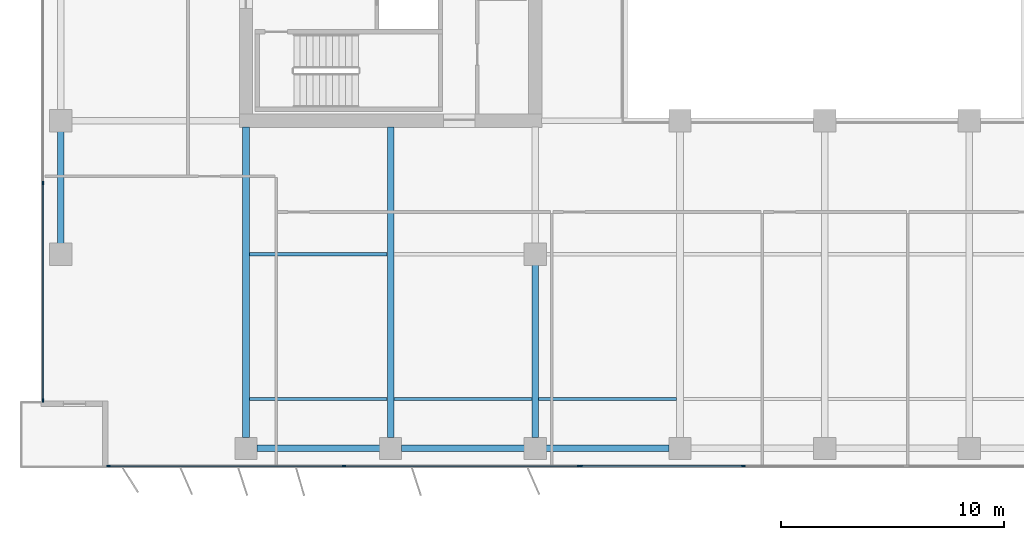
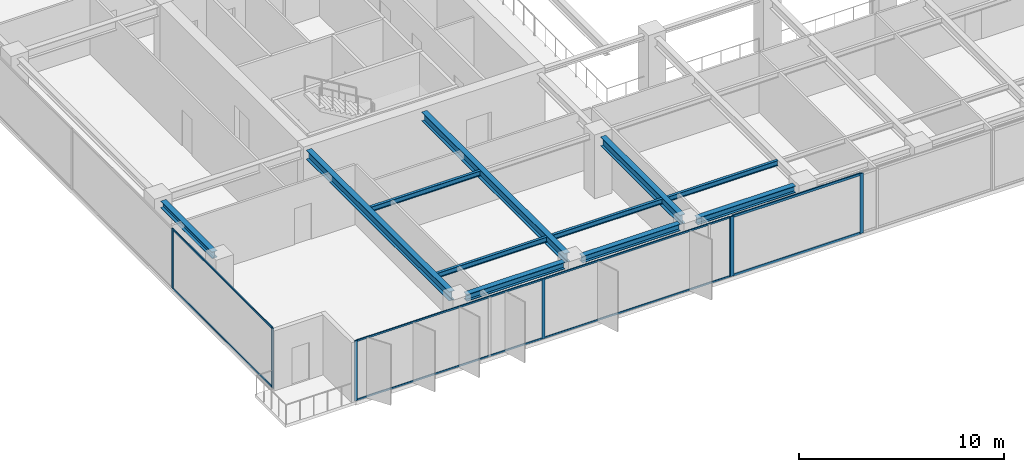
# One storey, part 2 of 22: 15 members, 11 beams, 3 elements without a shape of their own.
"""IFC4 building model written with IfcOpenShell, lengths in metres."""

from ifc_helpers import new_model, si_unit, direction, frame, origin, origin_2d, place, context, subcontext, project, spatial, rectangle, i_section, extrude, material, layer, layer_set, material_profile, profile_set, type_object, element, aggregate, save


model = new_model("IFC4")

# Units and contexts
model_context = context("Model", 3, precision=1e-05, world=origin(), true_north=direction((0.0, 1.0)))
body_context = subcontext(model_context, "Body", "Model", "MODEL_VIEW")
ifc_project = project(units=[si_unit("LENGTHUNIT", "METRE"), si_unit("AREAUNIT", "SQUARE_METRE"), si_unit("VOLUMEUNIT", "CUBIC_METRE"), si_unit("PLANEANGLEUNIT", "RADIAN"), si_unit("MASSUNIT", "GRAM", prefix="KILO")], contexts=[model_context])

# Site, building, storey
site_placement = place(None, origin())
site = spatial("IfcSite", under=ifc_project, at=site_placement, CompositionType="ELEMENT")
building_placement = place(site_placement, origin())
building = spatial("IfcBuilding", under=site, at=building_placement, Name="Putna Gate Headquarters", CompositionType="ELEMENT")
storey_placement = place(building_placement, frame((0.0, 0.0, 163.199951171875)))
storey = spatial("IfcBuildingStorey", under=building, at=storey_placement, Name="L40", CompositionType="ELEMENT", Elevation=163.199951171875)

# Beams
ifc_material_1 = material(Name="Steel S355J2", Category="steel")
ifc_material_profile_1 = material_profile(ifc_material_1, i_section(OverallWidth=0.300048828125, OverallDepth=0.550048828125, WebThickness=0.014892578125, FlangeThickness=0.029052734375, at=origin_2d()), Name="Steel S355J2")
ifc_profile_set_1 = profile_set([ifc_material_profile_1], Name="Steel S355J2")
beam_type_1 = type_object("IfcBeamType", Name="BM-GIRD-Z3-HEB550", PredefinedType="USERDEFINED", material=ifc_profile_set_1)
for number, where, z_axis, x_axis, name in (
    (1, (13.0, 4.76806640625, 3.297119140625), (0.0, 1.0, 0.0), (-1.0, 0.0, 0.0), "L40 South Primary Girder X13"),
    (2, (19.5, 4.76806640625, 3.297119140625), (0.0, 1.0, 0.0), (-1.0, 0.0, 0.0), "L40 South Primary Girder X19"),
):
    element("IfcBeam", number, at=place(storey_placement, frame(where, z_axis=z_axis, x_axis=x_axis)), inside=storey, type_object=beam_type_1, Name=name, ObjectType="GIRDER", PredefinedType="USERDEFINED", context=body_context, shape_type="SweptSolid", body=[
        extrude(i_section(OverallWidth=0.300048828125, OverallDepth=0.550048828125, WebThickness=0.014892578125, FlangeThickness=0.029052734375, at=origin_2d()), origin(), (0.0, 0.0, 1.0), 13.947021484375),
    ])
beam_1_placement = place(storey_placement, frame((26.0, 4.76806640625, 3.297119140625), z_axis=(0.0, 1.0, 0.0), x_axis=(-1.0, 0.0, 0.0)))
element("IfcBeam", 3, at=beam_1_placement, inside=storey, type_object=beam_type_1, Name="L40 South Primary Girder X26-1", ObjectType="GIRDER", PredefinedType="USERDEFINED", context=body_context, shape_type="SweptSolid", body=[
    extrude(i_section(OverallWidth=0.300048828125, OverallDepth=0.550048828125, WebThickness=0.014892578125, FlangeThickness=0.029052734375, at=origin_2d()), origin(), (0.0, 0.0, 1.0), 7.743896484375),
])
ifc_material_profile_2 = material_profile(ifc_material_1, i_section(OverallWidth=0.14990234375, OverallDepth=0.300048828125, WebThickness=0.007080078125, FlangeThickness=0.0107421875, at=origin_2d()), Name="Steel S355J2")
ifc_profile_set_2 = profile_set([ifc_material_profile_2], Name="Steel S355J2")
beam_type_2 = type_object("IfcBeamType", Name="BM-SEC-Z3-IPE300", PredefinedType="JOIST", material=ifc_profile_set_2)
for number, where, z_axis, x_axis, name in (
    (4, (13.154052734375, 6.5, 3.422119140625), (1.0, 0.0, 0.0), (0.0, 1.0, 0.0), "L40 South Secondary Beam 1"),
    (5, (13.154052734375, 13.0, 3.422119140625), (1.0, 0.0, 0.0), (0.0, 1.0, 0.0), "L40 South Secondary Beam 1"),
    (6, (19.654052734375, 6.5, 3.422119140625), (1.0, 0.0, 0.0), (0.0, 1.0, 0.0), "L40 South Secondary Beam 2"),
    (7, (26.154052734375, 6.5, 3.422119140625), (1.0, 0.0, 0.0), (0.0, 1.0, 0.0), "L40 South Secondary Beam 3"),
):
    element("IfcBeam", number, at=place(storey_placement, frame(where, z_axis=z_axis, x_axis=x_axis)), inside=storey, type_object=beam_type_2, Name=name, PredefinedType="JOIST", context=body_context, shape_type="SweptSolid", body=[
        extrude(i_section(OverallWidth=0.14990234375, OverallDepth=0.300048828125, WebThickness=0.007080078125, FlangeThickness=0.0107421875, at=origin_2d()), origin(), (0.0, 0.0, 1.0), 6.19189453125),
    ])
ifc_material_profile_3 = material_profile(ifc_material_1, i_section(OverallWidth=0.300048828125, OverallDepth=0.39990234375, WebThickness=0.013427734375, FlangeThickness=0.02392578125, at=origin_2d()), Name="Steel S355J2")
ifc_profile_set_3 = profile_set([ifc_material_profile_3], Name="Steel S355J2")
beam_type_3 = type_object("IfcBeamType", Name="BM-SPAN-Z3-HEB400", PredefinedType="SPANDREL", material=ifc_profile_set_3)
for number, where, z_axis, x_axis, name in (
    (8, (13.488037109375, 4.280029296875, 3.3720703125), (1.0, 0.0, 0.0), (0.0, 1.0, 0.0), "L40 S Perimeter Spandrel 1"),
    (9, (19.988037109375, 4.280029296875, 3.3720703125), (1.0, 0.0, 0.0), (0.0, 1.0, 0.0), "L40 S Perimeter Spandrel 2"),
    (10, (26.488037109375, 4.280029296875, 3.3720703125), (1.0, 0.0, 0.0), (0.0, 1.0, 0.0), "L40 S Perimeter Spandrel 3"),
):
    element("IfcBeam", number, at=place(storey_placement, frame(where, z_axis=z_axis, x_axis=x_axis)), inside=storey, type_object=beam_type_3, Name=name, PredefinedType="SPANDREL", context=body_context, shape_type="SweptSolid", body=[
        extrude(i_section(OverallWidth=0.300048828125, OverallDepth=0.39990234375, WebThickness=0.013427734375, FlangeThickness=0.02392578125, at=origin_2d()), origin(), (0.0, 0.0, 1.0), 5.52392578125),
    ])
beam_2_placement = place(storey_placement, frame((4.679931640625, 13.488037109375, 3.3720703125), z_axis=(0.0, 1.0, 0.0), x_axis=(-1.0, 0.0, 0.0)))
element("IfcBeam", 11, at=beam_2_placement, inside=storey, type_object=beam_type_3, Name="L40 W End Spandrel 1", PredefinedType="SPANDREL", context=body_context, shape_type="SweptSolid", body=[
    extrude(i_section(OverallWidth=0.300048828125, OverallDepth=0.39990234375, WebThickness=0.013427734375, FlangeThickness=0.02392578125, at=origin_2d()), origin(), (0.0, 0.0, 1.0), 5.02392578125),
])

# Curtain wall, members
ifc_material_2 = material(Name="Anodised bronze aluminium curtain wall", Category="aluminium")
ifc_layer_1 = layer(ifc_material_2, 0.159912109375)
ifc_layer_set_1 = layer_set([ifc_layer_1], Name="Anodised bronze aluminium curtain wall")
curtain_wall_type_1 = type_object("IfcCurtainWallType", Name="CW-SYS-Z3", PredefinedType="USERDEFINED", material=ifc_layer_set_1)
curtain_wall_1_placement = place(storey_placement, origin())
curtain_wall_1 = element("IfcCurtainWall", 12, at=curtain_wall_1_placement, inside=storey, type_object=curtain_wall_type_1, Name="L40 South West Curtain Wall", ObjectType="STICK CURTAIN WALL", PredefinedType="USERDEFINED")
ifc_material_3 = material(Name="Anodised bronze aluminium EN AW-6060", Category="aluminium")
ifc_material_profile_4 = material_profile(ifc_material_3, rectangle(XDim=0.06494140625, YDim=0.159912109375, at=origin_2d()), Name="Anodised bronze aluminium EN AW-6060")
ifc_profile_set_4 = profile_set([ifc_material_profile_4], Name="Anodised bronze aluminium EN AW-6060")
member_type_1 = type_object("IfcMemberType", Name="MULL-CWM-3", PredefinedType="MULLION", material=ifc_profile_set_4)
member_1_placement = place(storey_placement, frame((6.83251953125, 3.47998046875, 0.0), z_axis=(0.0, 0.0, 1.0), x_axis=(0.0, 1.0, 0.0)))
member_1 = element("IfcMember", 13, at=member_1_placement, type_object=member_type_1, Name="CWS-3 mullion 1", PredefinedType="MULLION", context=body_context, shape_type="SweptSolid", body=[
    extrude(rectangle(XDim=0.06494140625, YDim=0.159912109375, at=origin_2d()), origin(), (0.0, 0.0, 1.0), 3.572021484375),
])
member_2_placement = place(storey_placement, frame((17.39990234375, 3.47998046875, 0.0), z_axis=(0.0, 0.0, 1.0), x_axis=(0.0, 1.0, 0.0)))
member_2 = element("IfcMember", 14, at=member_2_placement, type_object=member_type_1, Name="CWS-3 mullion 2", PredefinedType="MULLION", context=body_context, shape_type="SweptSolid", body=[
    extrude(rectangle(XDim=0.06494140625, YDim=0.159912109375, at=origin_2d()), origin(), (0.0, 0.0, 1.0), 3.572021484375),
])
member_3_placement = place(storey_placement, frame((27.967529296875, 3.47998046875, 0.0), z_axis=(0.0, 0.0, 1.0), x_axis=(0.0, 1.0, 0.0)))
member_3 = element("IfcMember", 15, at=member_3_placement, type_object=member_type_1, Name="CWS-3 mullion 3", PredefinedType="MULLION", context=body_context, shape_type="SweptSolid", body=[
    extrude(rectangle(XDim=0.06494140625, YDim=0.159912109375, at=origin_2d()), origin(), (0.0, 0.0, 1.0), 3.572021484375),
])

curtain_wall_2_placement = place(storey_placement, origin())
curtain_wall_2 = element("IfcCurtainWall", 16, at=curtain_wall_2_placement, inside=storey, type_object=curtain_wall_type_1, Name="L40 West Curtain Wall", ObjectType="STICK CURTAIN WALL", PredefinedType="USERDEFINED")
member_4_placement = place(storey_placement, frame((3.8798828125, 6.4326171875, 0.0), z_axis=(0.0, 0.0, 1.0), x_axis=(-1.0, 0.0, 0.0)))
member_4 = element("IfcMember", 17, at=member_4_placement, type_object=member_type_1, Name="CWS-3 mullion 1", PredefinedType="MULLION", context=body_context, shape_type="SweptSolid", body=[
    extrude(rectangle(XDim=0.06494140625, YDim=0.159912109375, at=origin_2d()), origin(), (0.0, 0.0, 1.0), 3.572021484375),
])
member_5_placement = place(storey_placement, frame((3.8798828125, 16.199951171875, 0.0), z_axis=(0.0, 0.0, 1.0), x_axis=(-1.0, 0.0, 0.0)))
member_5 = element("IfcMember", 18, at=member_5_placement, type_object=member_type_1, Name="CWS-3 mullion 2", PredefinedType="MULLION", context=body_context, shape_type="SweptSolid", body=[
    extrude(rectangle(XDim=0.06494140625, YDim=0.159912109375, at=origin_2d()), origin(), (0.0, 0.0, 1.0), 3.572021484375),
])

ifc_layer_2 = layer(ifc_material_2, 0.179931640625)
ifc_layer_set_2 = layer_set([ifc_layer_2], Name="Anodised bronze aluminium curtain wall")
curtain_wall_type_2 = type_object("IfcCurtainWallType", Name="CW-SYS-ATR", PredefinedType="USERDEFINED", material=ifc_layer_set_2)
curtain_wall_3_placement = place(storey_placement, origin())
curtain_wall_3 = element("IfcCurtainWall", 19, at=curtain_wall_3_placement, inside=storey, type_object=curtain_wall_type_2, Name="L40 South Atrium Clear Glazing", ObjectType="ATRIUM GLAZING", PredefinedType="USERDEFINED")
ifc_material_profile_5 = material_profile(ifc_material_3, rectangle(XDim=0.070068359375, YDim=0.179931640625, at=origin_2d()), Name="Anodised bronze aluminium EN AW-6060")
ifc_profile_set_5 = profile_set([ifc_material_profile_5], Name="Anodised bronze aluminium EN AW-6060")
member_type_2 = type_object("IfcMemberType", Name="MULL-CWM-AT", PredefinedType="MULLION", material=ifc_profile_set_5)
member_6_placement = place(storey_placement, frame((28.034912109375, 3.47998046875, 0.0), z_axis=(0.0, 0.0, 1.0), x_axis=(0.0, 1.0, 0.0)))
member_6 = element("IfcMember", 20, at=member_6_placement, type_object=member_type_2, Name="CWS-AT mullion 1", PredefinedType="MULLION", context=body_context, shape_type="SweptSolid", body=[
    extrude(rectangle(XDim=0.070068359375, YDim=0.179931640625, at=origin_2d()), origin(), (0.0, 0.0, 1.0), 3.572021484375),
])
member_7_placement = place(storey_placement, frame((35.333251953125, 3.47998046875, 0.0), z_axis=(0.0, 0.0, 1.0), x_axis=(0.0, 1.0, 0.0)))
member_7 = element("IfcMember", 21, at=member_7_placement, type_object=member_type_2, Name="CWS-AT mullion 2", PredefinedType="MULLION", context=body_context, shape_type="SweptSolid", body=[
    extrude(rectangle(XDim=0.070068359375, YDim=0.179931640625, at=origin_2d()), origin(), (0.0, 0.0, 1.0), 3.572021484375),
])

# Member
ifc_material_profile_6 = material_profile(ifc_material_3, rectangle(XDim=0.06005859375, YDim=0.10009765625, at=origin_2d()), Name="Anodised bronze aluminium EN AW-6060")
ifc_profile_set_6 = profile_set([ifc_material_profile_6], Name="Anodised bronze aluminium EN AW-6060")
member_type_3 = type_object("IfcMemberType", Name="TRAN-CWT-3", PredefinedType="USERDEFINED", material=ifc_profile_set_6)
member_8_placement = place(storey_placement, frame((6.864990234375, 3.47998046875, 0.030029296875), z_axis=(1.0, 0.0, 0.0), x_axis=(0.0, 1.0, 0.0)))
member_8 = element("IfcMember", 22, at=member_8_placement, type_object=member_type_3, Name="CWS-3 transom 1.1", ObjectType="TRANSOM", PredefinedType="USERDEFINED", context=body_context, shape_type="SweptSolid", body=[
    extrude(rectangle(XDim=0.06005859375, YDim=0.10009765625, at=origin_2d()), origin(), (0.0, 0.0, 1.0), 10.50244140625),
])

member_9_placement = place(storey_placement, frame((6.864990234375, 3.47998046875, 3.5419921875), z_axis=(1.0, 0.0, 0.0), x_axis=(0.0, 1.0, 0.0)))
member_9 = element("IfcMember", 23, at=member_9_placement, type_object=member_type_3, Name="CWS-3 transom 1.2", ObjectType="TRANSOM", PredefinedType="USERDEFINED", context=body_context, shape_type="SweptSolid", body=[
    extrude(rectangle(XDim=0.06005859375, YDim=0.10009765625, at=origin_2d()), origin(), (0.0, 0.0, 1.0), 10.50244140625),
])

member_10_placement = place(storey_placement, frame((17.4326171875, 3.47998046875, 0.030029296875), z_axis=(1.0, 0.0, 0.0), x_axis=(0.0, 1.0, 0.0)))
member_10 = element("IfcMember", 24, at=member_10_placement, type_object=member_type_3, Name="CWS-3 transom 2.1", ObjectType="TRANSOM", PredefinedType="USERDEFINED", context=body_context, shape_type="SweptSolid", body=[
    extrude(rectangle(XDim=0.06005859375, YDim=0.10009765625, at=origin_2d()), origin(), (0.0, 0.0, 1.0), 10.50244140625),
])

member_11_placement = place(storey_placement, frame((17.4326171875, 3.47998046875, 3.5419921875), z_axis=(1.0, 0.0, 0.0), x_axis=(0.0, 1.0, 0.0)))
member_11 = element("IfcMember", 25, at=member_11_placement, type_object=member_type_3, Name="CWS-3 transom 2.2", ObjectType="TRANSOM", PredefinedType="USERDEFINED", context=body_context, shape_type="SweptSolid", body=[
    extrude(rectangle(XDim=0.06005859375, YDim=0.10009765625, at=origin_2d()), origin(), (0.0, 0.0, 1.0), 10.50244140625),
])

aggregate(curtain_wall_1, [member_1, member_2, member_3, member_8, member_9, member_10, member_11])

member_12_placement = place(storey_placement, frame((3.8798828125, 6.465087890625, 0.030029296875), z_axis=(0.0, 1.0, 0.0), x_axis=(-1.0, 0.0, 0.0)))
member_12 = element("IfcMember", 26, at=member_12_placement, type_object=member_type_3, Name="CWS-3 transom 1.1", ObjectType="TRANSOM", PredefinedType="USERDEFINED", context=body_context, shape_type="SweptSolid", body=[
    extrude(rectangle(XDim=0.06005859375, YDim=0.10009765625, at=origin_2d()), origin(), (0.0, 0.0, 1.0), 9.702392578125),
])

member_13_placement = place(storey_placement, frame((3.8798828125, 6.465087890625, 3.5419921875), z_axis=(0.0, 1.0, 0.0), x_axis=(-1.0, 0.0, 0.0)))
member_13 = element("IfcMember", 27, at=member_13_placement, type_object=member_type_3, Name="CWS-3 transom 1.2", ObjectType="TRANSOM", PredefinedType="USERDEFINED", context=body_context, shape_type="SweptSolid", body=[
    extrude(rectangle(XDim=0.06005859375, YDim=0.10009765625, at=origin_2d()), origin(), (0.0, 0.0, 1.0), 9.702392578125),
])

aggregate(curtain_wall_2, [member_4, member_5, member_12, member_13])

ifc_material_profile_7 = material_profile(ifc_material_3, rectangle(XDim=0.070068359375, YDim=0.139892578125, at=origin_2d()), Name="Anodised bronze aluminium EN AW-6060")
ifc_profile_set_7 = profile_set([ifc_material_profile_7], Name="Anodised bronze aluminium EN AW-6060")
member_type_4 = type_object("IfcMemberType", Name="TRAN-CWT-AT", PredefinedType="USERDEFINED", material=ifc_profile_set_7)
member_14_placement = place(storey_placement, frame((28.070068359375, 3.47998046875, 0.03515625), z_axis=(1.0, 0.0, 0.0), x_axis=(0.0, 1.0, 0.0)))
member_14 = element("IfcMember", 28, at=member_14_placement, type_object=member_type_4, Name="CWS-AT transom 1.1", ObjectType="TRANSOM", PredefinedType="USERDEFINED", context=body_context, shape_type="SweptSolid", body=[
    extrude(rectangle(XDim=0.070068359375, YDim=0.139892578125, at=origin_2d()), origin(), (0.0, 0.0, 1.0), 7.228271484375),
])

member_15_placement = place(storey_placement, frame((28.070068359375, 3.47998046875, 3.537109375), z_axis=(1.0, 0.0, 0.0), x_axis=(0.0, 1.0, 0.0)))
member_15 = element("IfcMember", 29, at=member_15_placement, type_object=member_type_4, Name="CWS-AT transom 1.2", ObjectType="TRANSOM", PredefinedType="USERDEFINED", context=body_context, shape_type="SweptSolid", body=[
    extrude(rectangle(XDim=0.070068359375, YDim=0.139892578125, at=origin_2d()), origin(), (0.0, 0.0, 1.0), 7.228271484375),
])

aggregate(curtain_wall_3, [member_6, member_7, member_14, member_15])

save(model, "model.ifc")
